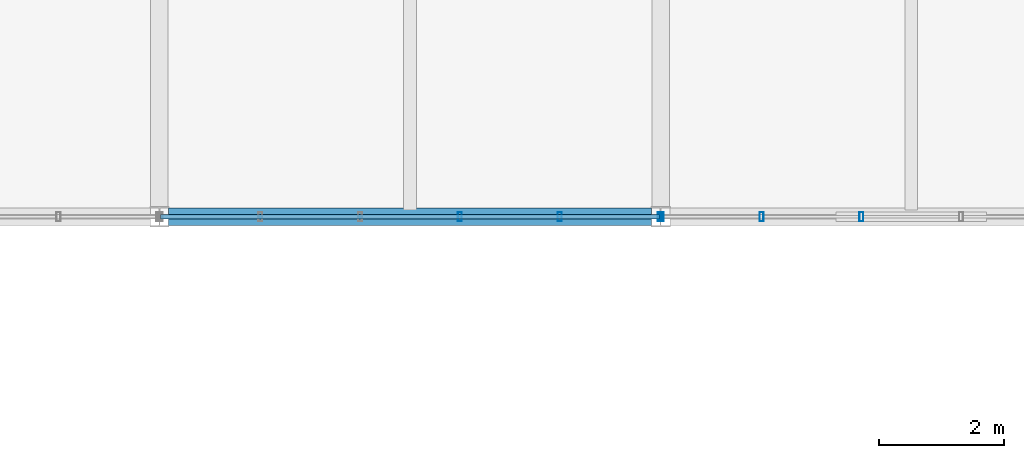
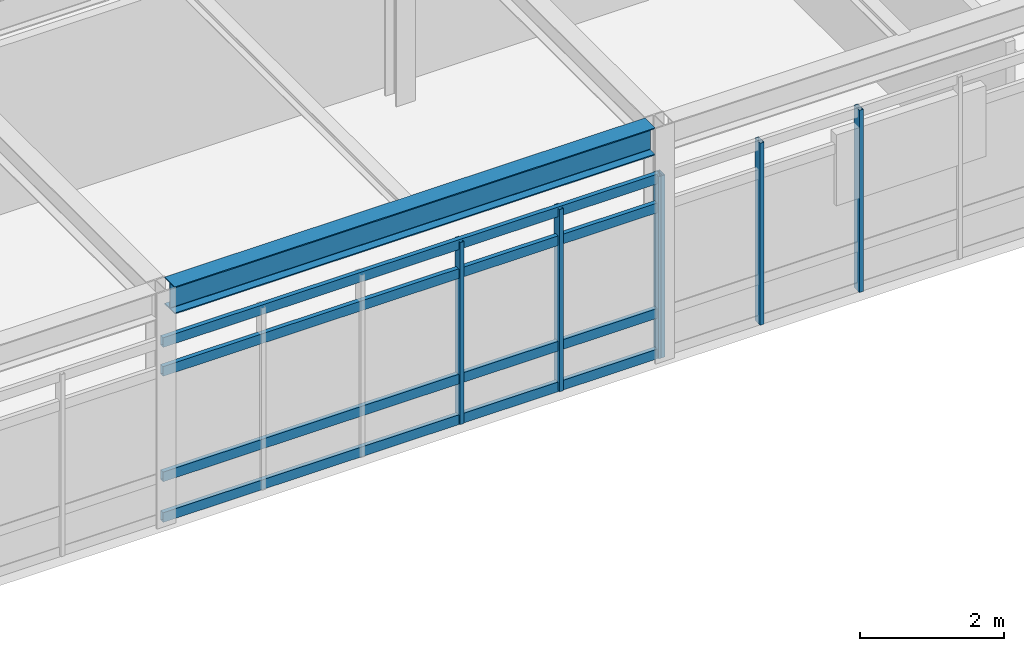
# One storey, part 33 of 85: 10 members, 1 beam, 2 elements without a shape of their own.
"""IFC4 building model written with IfcOpenShell, lengths in metres."""

from ifc_helpers import new_model, si_unit, direction, frame, origin, origin_2d, place, context, subcontext, project, spatial, hollow_rectangle, i_section, extrude, material, material_profile, profile_set, type_object, element, aggregate, save


model = new_model("IFC4")

# Units and contexts
model_context = context("Model", 3, precision=1e-05, world=origin(), true_north=direction((0.0, 1.0)))
body_context = subcontext(model_context, "Body", "Model", "MODEL_VIEW")
ifc_project = project(units=[si_unit("LENGTHUNIT", "METRE"), si_unit("AREAUNIT", "SQUARE_METRE"), si_unit("VOLUMEUNIT", "CUBIC_METRE"), si_unit("PLANEANGLEUNIT", "RADIAN"), si_unit("MASSUNIT", "GRAM", prefix="KILO")], contexts=[model_context])

# Site, building, storey
site_placement = place(None, origin())
site = spatial("IfcSite", under=ifc_project, at=site_placement, CompositionType="ELEMENT")
building_placement = place(site_placement, origin())
building = spatial("IfcBuilding", under=site, at=building_placement, Name="Zulena Civic Courthouse", CompositionType="ELEMENT")
storey_placement = place(building_placement, frame((0.0, 0.0, 25.199951171875)))
storey = spatial("IfcBuildingStorey", under=building, at=storey_placement, Name="L05", CompositionType="ELEMENT", Elevation=25.199951171875)

# Curtain wall, members
ifc_material_1 = material(Name="Double-silver low-E laminated solar-control glass", Category="glass")
curtain_wall_type = type_object("IfcCurtainWallType", Name="CW_7964x3090", PredefinedType="USERDEFINED", material=ifc_material_1)
curtain_wall_1_placement = place(storey_placement, origin())
curtain_wall_1 = element("IfcCurtainWall", 1, at=curtain_wall_1_placement, inside=storey, type_object=curtain_wall_type, Name="cw:V5:L05:5:4", ObjectType="UNITISED CURTAIN WALL", PredefinedType="USERDEFINED")
ifc_material_2 = material(Name="Bronze anodised thermally broken aluminium AA6063-T6", Category="aluminium")
ifc_material_profile_1 = material_profile(ifc_material_2, hollow_rectangle(XDim=0.06494140625, YDim=0.14990234375, WallThickness=0.00390625, at=origin_2d()), Name="CWM150X65X4")
ifc_profile_set_1 = profile_set([ifc_material_profile_1], Name="Bronze anodised thermally broken aluminium AA6063-T6")
member_type_1 = type_object("IfcMemberType", Name="CWMullion_150x65", PredefinedType="MULLION", material=ifc_profile_set_1)
member_1_placement = place(storey_placement, frame((63.20361328125, 46.0, 0.0), z_axis=(0.0, 0.0, 1.0), x_axis=(1.0, 0.0, 0.0)))
member_1 = element("IfcMember", 2, at=member_1_placement, type_object=member_type_1, Name="cw:V5:L05:5:4:mull:3", PredefinedType="MULLION", context=body_context, shape_type="SweptSolid", body=[
    extrude(hollow_rectangle(XDim=0.06494140625, YDim=0.14990234375, WallThickness=0.00390625, at=origin_2d()), origin(), (0.0, 0.0, 1.0), 3.090087890625),
])
member_2_placement = place(storey_placement, frame((61.61083984375, 46.0, 0.0), z_axis=(0.0, 0.0, 1.0), x_axis=(1.0, 0.0, 0.0)))
member_2 = element("IfcMember", 3, at=member_2_placement, type_object=member_type_1, Name="cw:V5:L05:5:4:mull:4", PredefinedType="MULLION", context=body_context, shape_type="SweptSolid", body=[
    extrude(hollow_rectangle(XDim=0.06494140625, YDim=0.14990234375, WallThickness=0.00390625, at=origin_2d()), origin(), (0.0, 0.0, 1.0), 3.090087890625),
])
member_3_placement = place(storey_placement, frame((60.01806640625, 46.0, 0.0), z_axis=(0.0, 0.0, 1.0), x_axis=(1.0, 0.0, 0.0)))
member_3 = element("IfcMember", 4, at=member_3_placement, type_object=member_type_1, Name="cw:V5:L05:5:4:mull:5", PredefinedType="MULLION", context=body_context, shape_type="SweptSolid", body=[
    extrude(hollow_rectangle(XDim=0.06494140625, YDim=0.14990234375, WallThickness=0.00390625, at=origin_2d()), origin(), (0.0, 0.0, 1.0), 3.090087890625),
])
aggregate(curtain_wall_1, [member_1, member_2, member_3])

curtain_wall_2_placement = place(storey_placement, origin())
curtain_wall_2 = element("IfcCurtainWall", 5, at=curtain_wall_2_placement, inside=storey, type_object=curtain_wall_type, Name="cw:V5:L05:5:5", ObjectType="UNITISED CURTAIN WALL", PredefinedType="USERDEFINED")
member_4_placement = place(storey_placement, frame((59.98193359375, 46.0, 0.0), z_axis=(0.0, 0.0, 1.0), x_axis=(1.0, 0.0, 0.0)))
member_4 = element("IfcMember", 6, at=member_4_placement, type_object=member_type_1, Name="cw:V5:L05:5:5:mull:0", PredefinedType="MULLION", context=body_context, shape_type="SweptSolid", body=[
    extrude(hollow_rectangle(XDim=0.06494140625, YDim=0.14990234375, WallThickness=0.00390625, at=origin_2d()), origin(), (0.0, 0.0, 1.0), 3.090087890625),
])
member_5_placement = place(storey_placement, frame((58.38916015625, 46.0, 0.0), z_axis=(0.0, 0.0, 1.0), x_axis=(1.0, 0.0, 0.0)))
member_5 = element("IfcMember", 7, at=member_5_placement, type_object=member_type_1, Name="cw:V5:L05:5:5:mull:1", PredefinedType="MULLION", context=body_context, shape_type="SweptSolid", body=[
    extrude(hollow_rectangle(XDim=0.06494140625, YDim=0.14990234375, WallThickness=0.00390625, at=origin_2d()), origin(), (0.0, 0.0, 1.0), 3.090087890625),
])
member_6_placement = place(storey_placement, frame((56.79638671875, 46.0, 0.0), z_axis=(0.0, 0.0, 1.0), x_axis=(1.0, 0.0, 0.0)))
member_6 = element("IfcMember", 8, at=member_6_placement, type_object=member_type_1, Name="cw:V5:L05:5:5:mull:2", PredefinedType="MULLION", context=body_context, shape_type="SweptSolid", body=[
    extrude(hollow_rectangle(XDim=0.06494140625, YDim=0.14990234375, WallThickness=0.00390625, at=origin_2d()), origin(), (0.0, 0.0, 1.0), 3.090087890625),
])
ifc_material_profile_2 = material_profile(ifc_material_2, hollow_rectangle(XDim=0.070068359375, YDim=0.1650390625, WallThickness=0.00390625, at=origin_2d()), Name="CWT165X70X4")
ifc_profile_set_2 = profile_set([ifc_material_profile_2], Name="Bronze anodised thermally broken aluminium AA6063-T6")
member_type_2 = type_object("IfcMemberType", Name="CWTransom_165x70", PredefinedType="USERDEFINED", material=ifc_profile_set_2)
member_7_placement = place(storey_placement, frame((59.98193359375, 46.0, 0.06005859375), z_axis=(-1.0, 0.0, 0.0), x_axis=(0.0, -1.0, 0.0)))
member_7 = element("IfcMember", 9, at=member_7_placement, type_object=member_type_2, Name="cw:V5:L05:5:5:tran:0", ObjectType="TRANSOM", PredefinedType="USERDEFINED", context=body_context, shape_type="SweptSolid", body=[
    extrude(hollow_rectangle(XDim=0.070068359375, YDim=0.1650390625, WallThickness=0.00390625, at=origin_2d()), origin(), (0.0, 0.0, 1.0), 7.9638671875),
])
member_8_placement = place(storey_placement, frame((59.98193359375, 46.0, 0.75), z_axis=(-1.0, 0.0, 0.0), x_axis=(0.0, -1.0, 0.0)))
member_8 = element("IfcMember", 10, at=member_8_placement, type_object=member_type_2, Name="cw:V5:L05:5:5:tran:1", ObjectType="TRANSOM", PredefinedType="USERDEFINED", context=body_context, shape_type="SweptSolid", body=[
    extrude(hollow_rectangle(XDim=0.070068359375, YDim=0.1650390625, WallThickness=0.00390625, at=origin_2d()), origin(), (0.0, 0.0, 1.0), 7.9638671875),
])
member_9_placement = place(storey_placement, frame((59.98193359375, 46.0, 2.5400390625), z_axis=(-1.0, 0.0, 0.0), x_axis=(0.0, -1.0, 0.0)))
member_9 = element("IfcMember", 11, at=member_9_placement, type_object=member_type_2, Name="cw:V5:L05:5:5:tran:2", ObjectType="TRANSOM", PredefinedType="USERDEFINED", context=body_context, shape_type="SweptSolid", body=[
    extrude(hollow_rectangle(XDim=0.070068359375, YDim=0.1650390625, WallThickness=0.00390625, at=origin_2d()), origin(), (0.0, 0.0, 1.0), 7.9638671875),
])
member_10_placement = place(storey_placement, frame((59.98193359375, 46.0, 3.030029296875), z_axis=(-1.0, 0.0, 0.0), x_axis=(0.0, -1.0, 0.0)))
member_10 = element("IfcMember", 12, at=member_10_placement, type_object=member_type_2, Name="cw:V5:L05:5:5:tran:3", ObjectType="TRANSOM", PredefinedType="USERDEFINED", context=body_context, shape_type="SweptSolid", body=[
    extrude(hollow_rectangle(XDim=0.070068359375, YDim=0.1650390625, WallThickness=0.00390625, at=origin_2d()), origin(), (0.0, 0.0, 1.0), 7.9638671875),
])
aggregate(curtain_wall_2, [member_4, member_5, member_6, member_7, member_8, member_9, member_10])

# Beam
ifc_material_3 = material(Name="Steel ASTM A992 Grade 50", Category="steel")
ifc_material_profile_3 = material_profile(ifc_material_3, i_section(OverallWidth=0.280029296875, OverallDepth=0.462890625, WebThickness=0.0107421875, FlangeThickness=0.017333984375, FilletRadius=0.01025390625, at=origin_2d()), Name="W18X76")
ifc_profile_set_3 = profile_set([ifc_material_profile_3], Name="Steel ASTM A992 Grade 50")
beam_type = type_object("IfcBeamType", Name="Spandrel_W18X76", PredefinedType="SPANDREL", material=ifc_profile_set_3)
beam_placement = place(storey_placement, frame((52.14501953125, 46.0, 3.763427734375), z_axis=(1.0, 0.0, 0.0), x_axis=(0.0, 1.0, 0.0)))
element("IfcBeam", 13, at=beam_placement, inside=storey, type_object=beam_type, Name="beam:X:V5:L05:46.0:52.0_60.0", PredefinedType="SPANDREL", context=body_context, shape_type="SweptSolid", body=[
    extrude(i_section(OverallWidth=0.280029296875, OverallDepth=0.462890625, WebThickness=0.0107421875, FlangeThickness=0.017333984375, FilletRadius=0.01025390625, at=origin_2d()), origin(), (0.0, 0.0, 1.0), 7.7099609375),
])

save(model, "model.ifc")
